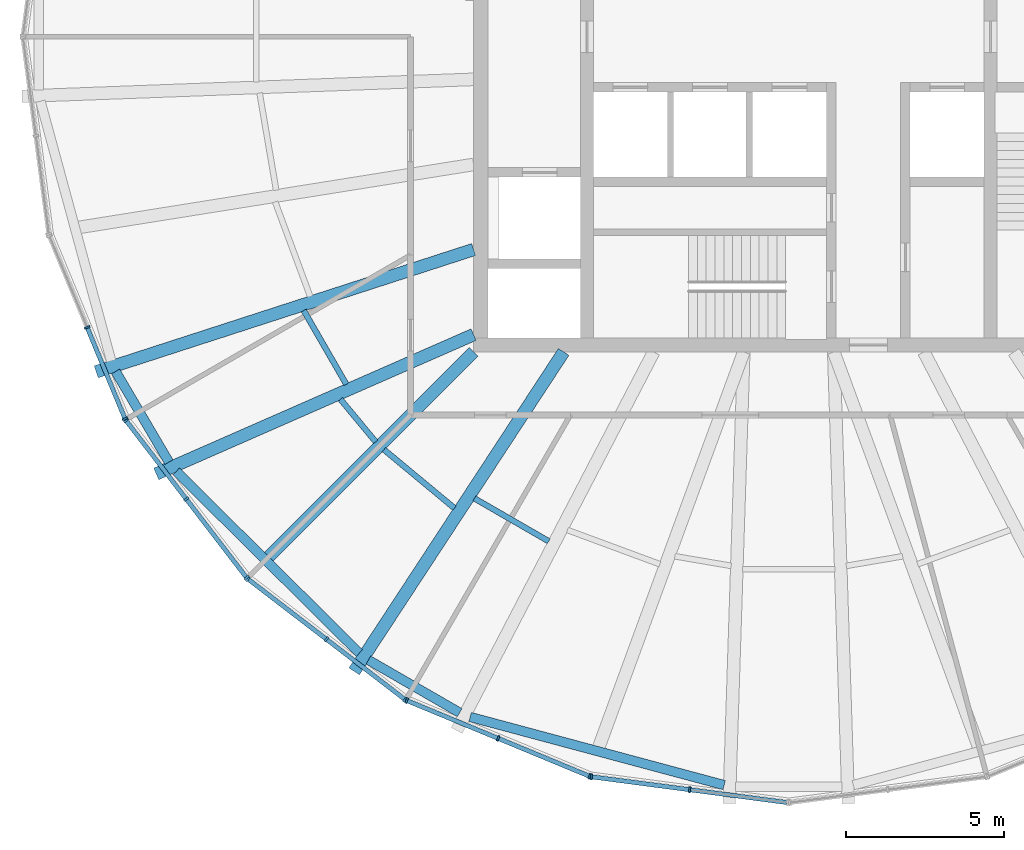
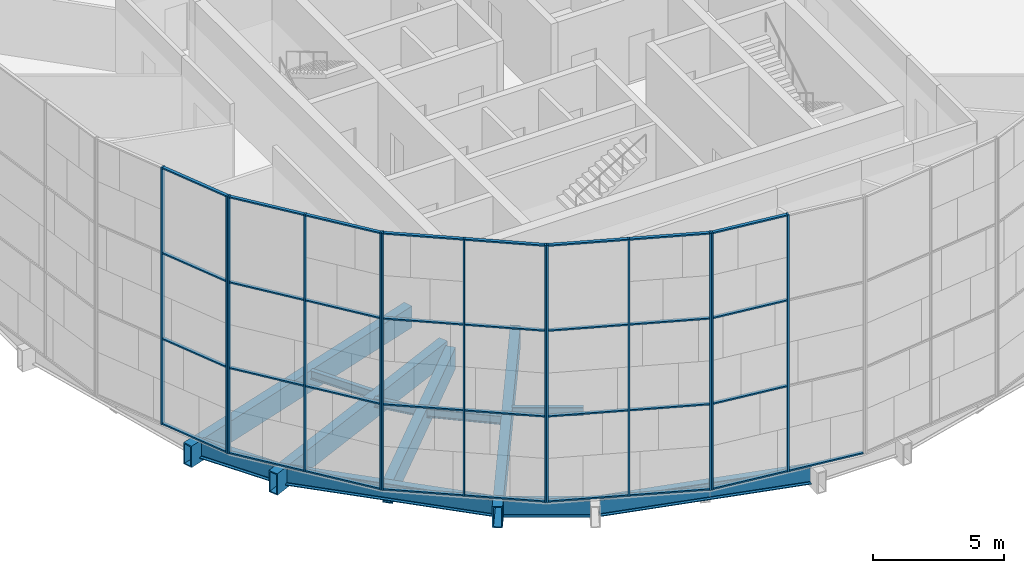
# One storey, part 1 of 22: 46 members, 12 beams, 5 elements without a shape of their own.
"""IFC4 building model written with IfcOpenShell, lengths in metres."""

import ifcopenshell
import ifcopenshell.guid

model = None  # the IFC model being written
_history = None  # IfcOwnerHistory: only IFC2X3 demands one
_inside = {}  # id of a spatial element -> (the spatial element, [elements in it])
_under = {}  # id of a project, library or spatial element -> (it, [spatial elements below it])
_declared = {}  # id of a project -> (the project, [libraries it declares])
_typed = {}  # id of a type object -> (the type object, [elements of that type])
_made_of = {}  # id of a material, layer set ... -> (it, [elements and type objects made of it])


def new_model(schema):
    """Start an empty IFC model of exactly this schema.

    Asked for "IFC4X3", IfcOpenShell would pick the latest addendum, in which some entities
    have other attributes; the version numbers below select the first issue.
    IFC2X3 requires an IfcOwnerHistory on every rooted entity: one is made here for all.
    """
    global model, _history
    if schema == "IFC4X3":
        model = ifcopenshell.file(schema_version=(4, 3, 0, 0))
    else:
        model = ifcopenshell.file(schema=schema)
    _inside.clear()
    _under.clear()
    _declared.clear()
    _typed.clear()
    _made_of.clear()
    _history = None
    if model.schema == "IFC2X3":
        org = make("IfcOrganization", Name="unknown")
        user = make(
            "IfcPersonAndOrganization",
            ThePerson=make("IfcPerson", FamilyName="unknown"),
            TheOrganization=org,
        )
        app = make(
            "IfcApplication",
            ApplicationDeveloper=org,
            Version="unknown",
            ApplicationFullName="unknown",
            ApplicationIdentifier="unknown",
        )
        _history = make(
            "IfcOwnerHistory",
            OwningUser=user,
            OwningApplication=app,
            ChangeAction="ADDED",
            CreationDate=0,
        )
    return model


def make(cls, **values):
    """One entity of the class cls with the attributes given. An attribute that is None is left unset."""
    return model.create_entity(
        cls, **{name: value for name, value in values.items() if value is not None}
    )


def rooted(cls, **values):
    """An entity with a GlobalId (a new one), such as an element, a storey or a relation."""
    return make(cls, GlobalId=ifcopenshell.guid.new(), OwnerHistory=_history, **values)


def si_unit(unit_type, name, prefix=None):
    """IfcSIUnit, for example si_unit("LENGTHUNIT", "METRE", prefix="MILLI")."""
    return make("IfcSIUnit", UnitType=unit_type, Prefix=prefix, Name=name)


def assignment(units):
    """IfcUnitAssignment: the units of a project."""
    return None if units is None else make("IfcUnitAssignment", Units=units)


def point(xyz):
    """IfcCartesianPoint."""
    return None if xyz is None else make("IfcCartesianPoint", Coordinates=xyz)


def direction(xyz):
    """IfcDirection."""
    return None if xyz is None else make("IfcDirection", DirectionRatios=xyz)


def frame(location, z_axis=None, x_axis=None):
    """IfcAxis2Placement3D, a coordinate frame: its origin and axes. An axis left out is left unset."""
    return make(
        "IfcAxis2Placement3D",
        Location=point(location),
        Axis=direction(z_axis),
        RefDirection=direction(x_axis),
    )


def frame_2d(location, x_axis=None):
    """IfcAxis2Placement2D, a coordinate frame in the plane: its origin and x axis."""
    return make(
        "IfcAxis2Placement2D", Location=point(location), RefDirection=direction(x_axis)
    )


def origin():
    """The frame at (0, 0, 0) with its axes left unset."""
    return frame((0.0, 0.0, 0.0))


def origin_2d():
    """The frame at (0, 0) in the plane with its x axis left unset."""
    return frame_2d((0.0, 0.0))


def place(relative_to, where):
    """IfcLocalPlacement: puts the frame where relative to a parent placement (None: the world)."""
    return make(
        "IfcLocalPlacement", PlacementRelTo=relative_to, RelativePlacement=where
    )


def context(
    kind, dimensions, precision=None, world=None, true_north=None, identifier=None
):
    """IfcGeometricRepresentationContext, for example the 3D "Model" context."""
    return make(
        "IfcGeometricRepresentationContext",
        ContextIdentifier=identifier,
        ContextType=kind,
        CoordinateSpaceDimension=dimensions,
        Precision=precision,
        WorldCoordinateSystem=world,
        TrueNorth=true_north,
    )


def subcontext(parent, identifier, kind, view, scale=None):
    """IfcGeometricRepresentationSubContext, for example "Body" below "Model"."""
    return make(
        "IfcGeometricRepresentationSubContext",
        ContextIdentifier=identifier,
        ContextType=kind,
        ParentContext=parent,
        TargetScale=scale,
        TargetView=view,
    )


def project(units=None, contexts=None):
    """IfcProject with its units and contexts."""
    return rooted(
        "IfcProject",
        Name="project",
        RepresentationContexts=contexts,
        UnitsInContext=assignment(units),
    )


def spatial(cls, under=None, at=None, **own):
    """A site, building, storey or space (cls), placed at a placement, below another one or the project."""
    s = rooted(cls, ObjectPlacement=at, **own)
    if under is not None:
        _under.setdefault(under.id(), (under, []))[1].append(s)
    return s


def profile(cls, at=None, kind="AREA", **sizes):
    """A parametric profile (cls). Its sizes go by their IFC names, for example OverallWidth=200.0."""
    return make(cls, ProfileType=kind, Position=at, **sizes)


def rectangle(**sizes):
    """IfcRectangleProfileDef."""
    return profile("IfcRectangleProfileDef", **sizes)


def hollow_rectangle(**sizes):
    """IfcRectangleHollowProfileDef."""
    return profile("IfcRectangleHollowProfileDef", **sizes)


def i_section(**sizes):
    """IfcIShapeProfileDef."""
    return profile("IfcIShapeProfileDef", **sizes)


def extrude(swept, where, along, depth):
    """IfcExtrudedAreaSolid: the profile swept, set in the frame where, extruded along a direction by depth."""
    return make(
        "IfcExtrudedAreaSolid",
        SweptArea=swept,
        Position=where,
        ExtrudedDirection=direction(along),
        Depth=depth,
    )


def shape(context_of_items, identifier, shape_type, items):
    """IfcShapeRepresentation: the items that make up one representation, for example the "Body"."""
    return make(
        "IfcShapeRepresentation",
        ContextOfItems=context_of_items,
        RepresentationIdentifier=identifier,
        RepresentationType=shape_type,
        Items=items,
    )


def material(Name=None, Category=None):
    """IfcMaterial."""
    return make("IfcMaterial", Name=Name, Category=Category)


def material_profile(
    of_material, cross_section, Name=None, Category=None, Priority=None
):
    """IfcMaterialProfile: a cross section and its material."""
    return make(
        "IfcMaterialProfile",
        Name=Name,
        Material=of_material,
        Profile=cross_section,
        Priority=Priority,
        Category=Category,
    )


def profile_set(profiles, Name=None, composite=None):
    """IfcMaterialProfileSet."""
    return make(
        "IfcMaterialProfileSet",
        Name=Name,
        MaterialProfiles=profiles,
        CompositeProfile=composite,
    )


def made_of(thing, what):
    """Note that an element or type object is made of a material, layer set ...; save() writes the relation."""
    if what is not None:
        _made_of.setdefault(what.id(), (what, []))[1].append(thing)
    return thing


def type_object(cls, material=None, **own):
    """A type object (cls), such as IfcWallType, which elements share."""
    return made_of(rooted(cls, **own), material)


def element(
    cls,
    number,
    at=None,
    inside=None,
    cuts=None,
    type_object=None,
    material=None,
    context=None,
    identifier="Body",
    shape_type=None,
    held_by="IfcProductDefinitionShape",
    body=None,
    shapes=None,
    **own,
):
    """One element of the class cls, such as IfcWall. Its Tag is "e" and its number.

    at: its placement. inside: the storey or other place that contains it. cuts: it is an
    opening in that element (IfcRelVoidsElement). A single representation is given by context,
    identifier, shape_type and body (its items); several are given by shapes. held_by: the class
    of the entity that holds the representations. save() writes the other relations.
    """
    e = rooted(cls, Tag="e%d" % number, ObjectPlacement=at, **own)
    if body is not None:
        shapes = [shape(context, identifier, shape_type, body)]
    if shapes is not None:
        e.Representation = make(held_by, Representations=shapes)
    if inside is not None:
        _inside.setdefault(inside.id(), (inside, []))[1].append(e)
    if cuts is not None:
        rooted(
            "IfcRelVoidsElement", RelatingBuildingElement=cuts, RelatedOpeningElement=e
        )
    if type_object is not None:
        _typed.setdefault(type_object.id(), (type_object, []))[1].append(e)
    return made_of(e, material)


def aggregate(whole, parts):
    """IfcRelAggregates: a whole, such as a stair, and the parts it consists of."""
    return rooted("IfcRelAggregates", RelatingObject=whole, RelatedObjects=parts)


def save(model, path):
    """Write the relations noted so far, then the file.

    IfcRelAggregates (storeys below a building ...), IfcRelContainedInSpatialStructure (elements
    in a storey), IfcRelDefinesByType, IfcRelAssociatesMaterial and IfcRelDeclares: one each for
    every whole, place, type object, material and project.
    """
    for whole, parts in _under.values():
        aggregate(whole, parts)
    for where, things in _inside.values():
        rooted(
            "IfcRelContainedInSpatialStructure",
            RelatedElements=things,
            RelatingStructure=where,
        )
    for kind, things in _typed.values():
        rooted("IfcRelDefinesByType", RelatedObjects=things, RelatingType=kind)
    for what, things in _made_of.values():
        rooted("IfcRelAssociatesMaterial", RelatedObjects=things, RelatingMaterial=what)
    for by, libraries in _declared.values():
        rooted("IfcRelDeclares", RelatingContext=by, RelatedDefinitions=libraries)
    model.write(path)


model = new_model("IFC4")

# Units and contexts
model_context = context("Model", 3, precision=1e-05, world=origin(), true_north=direction((0.0, 1.0)))
body_context = subcontext(model_context, "Body", "Model", "MODEL_VIEW")
ifc_project = project(units=[si_unit("LENGTHUNIT", "METRE"), si_unit("AREAUNIT", "SQUARE_METRE"), si_unit("VOLUMEUNIT", "CUBIC_METRE"), si_unit("PLANEANGLEUNIT", "RADIAN"), si_unit("MASSUNIT", "GRAM", prefix="KILO")], contexts=[model_context])

# Site, building, storey
site_placement = place(None, origin())
site = spatial("IfcSite", under=ifc_project, at=site_placement, CompositionType="ELEMENT")
building_placement = place(site_placement, origin())
building = spatial("IfcBuilding", under=site, at=building_placement, Name="Golbaran Civic Tower", CompositionType="ELEMENT")
storey_placement = place(building_placement, frame((0.0, 0.0, 155.0)))
storey = spatial("IfcBuildingStorey", under=building, at=storey_placement, Name="L37", CompositionType="ELEMENT", Elevation=155.0)

# Beams
ifc_material_1 = material(Name="Steel S355", Category="steel")
ifc_material_profile_1 = material_profile(ifc_material_1, i_section(OverallWidth=0.300048828125, OverallDepth=0.800048828125, WebThickness=0.017578125, FlangeThickness=0.032958984375, FilletRadius=0.030029296875, at=origin_2d()), Name="HEB 800")
ifc_profile_set_1 = profile_set([ifc_material_profile_1], Name="Steel S355")
beam_type_1 = type_object("IfcBeamType", Name="EDGE BEAM HEB 800", PredefinedType="BEAM", material=ifc_profile_set_1)
beam_1_placement = place(storey_placement, frame((-21.356689453125, -10.617919921875, -0.60009765625), z_axis=(0.506674807094, -0.862137251171, 0.0), x_axis=(0.862137251171, 0.506674807094, 0.0)))
element("IfcBeam", 1, at=beam_1_placement, inside=storey, type_object=beam_type_1, Name="Edge beam 205.62 L37", PredefinedType="BEAM", context=body_context, shape_type="SweptSolid", body=[
    extrude(i_section(OverallWidth=0.300048828125, OverallDepth=0.800048828125, WebThickness=0.017578125, FlangeThickness=0.032958984375, FilletRadius=0.030029296875, at=origin_2d()), origin(), (0.0, 0.0, 1.0), 3.33740234375),
])
beam_2_placement = place(storey_placement, frame((-19.4365234375, -13.78759765625, -0.60009765625), z_axis=(0.709963262307, -0.704238713913, 0.0), x_axis=(0.704238713913, 0.709963262307, 0.0)))
element("IfcBeam", 2, at=beam_2_placement, inside=storey, type_object=beam_type_1, Name="Edge beam 214.38 L37", PredefinedType="BEAM", context=body_context, shape_type="SweptSolid", body=[
    extrude(i_section(OverallWidth=0.300048828125, OverallDepth=0.800048828125, WebThickness=0.017578125, FlangeThickness=0.032958984375, FilletRadius=0.030029296875, at=origin_2d()), origin(), (0.0, 0.0, 1.0), 8.1884765625),
])
beam_3_placement = place(storey_placement, frame((-13.33642578125, -19.773681640625, -0.60009765625), z_axis=(0.866175852343, -0.499739324867, 0.0), x_axis=(0.499739324867, 0.866175852343, 0.0)))
element("IfcBeam", 3, at=beam_3_placement, inside=storey, type_object=beam_type_1, Name="Edge beam 235.62 L37", PredefinedType="BEAM", context=body_context, shape_type="SweptSolid", body=[
    extrude(i_section(OverallWidth=0.300048828125, OverallDepth=0.800048828125, WebThickness=0.017578125, FlangeThickness=0.032958984375, FilletRadius=0.030029296875, at=origin_2d()), origin(), (0.0, 0.0, 1.0), 3.340576171875),
])
beam_4_placement = place(storey_placement, frame((-10.10888671875, -21.580810546875, -0.60009765625), z_axis=(0.965852660034, -0.259091951063, 0.0), x_axis=(0.259091951063, 0.965852660034, 0.0)))
element("IfcBeam", 4, at=beam_4_placement, inside=storey, type_object=beam_type_1, Name="Edge beam 244.38 L37", PredefinedType="BEAM", context=body_context, shape_type="SweptSolid", body=[
    extrude(i_section(OverallWidth=0.300048828125, OverallDepth=0.800048828125, WebThickness=0.017578125, FlangeThickness=0.032958984375, FilletRadius=0.030029296875, at=origin_2d()), origin(), (0.0, 0.0, 1.0), 8.343994140625),
])
ifc_material_profile_2 = material_profile(ifc_material_1, i_section(OverallWidth=0.179931640625, OverallDepth=0.39990234375, WebThickness=0.008544921875, FlangeThickness=0.013427734375, FilletRadius=0.02099609375, at=origin_2d()), Name="IPE 400")
ifc_profile_set_2 = profile_set([ifc_material_profile_2], Name="Steel S355")
beam_type_2 = type_object("IfcBeamType", Name="FLOOR INFILL BEAM IPE 400", PredefinedType="BEAM", material=ifc_profile_set_2)
beam_5_placement = place(storey_placement, frame((-15.38916015625, -8.684814453125, -0.39990234375), z_axis=(0.499996136155, -0.866027634565, 0.0), x_axis=(0.866027634565, 0.499996136155, 0.0)))
element("IfcBeam", 5, at=beam_5_placement, inside=storey, type_object=beam_type_2, Name="Infill beam 210.00 L37", PredefinedType="BEAM", context=body_context, shape_type="SweptSolid", body=[
    extrude(i_section(OverallWidth=0.179931640625, OverallDepth=0.39990234375, WebThickness=0.008544921875, FlangeThickness=0.013427734375, FilletRadius=0.02099609375, at=origin_2d()), origin(), (0.0, 0.0, 1.0), 2.70263671875),
])
beam_6_placement = place(storey_placement, frame((-14.224853515625, -11.500732421875, -0.39990234375), z_axis=(0.63856720713, -0.769566060828, 0.0), x_axis=(0.769566060828, 0.63856720713, 0.0)))
element("IfcBeam", 6, at=beam_6_placement, inside=storey, type_object=beam_type_2, Name="Infill beam 219.69 L37", PredefinedType="BEAM", context=body_context, shape_type="SweptSolid", body=[
    extrude(i_section(OverallWidth=0.179931640625, OverallDepth=0.39990234375, WebThickness=0.008544921875, FlangeThickness=0.013427734375, FilletRadius=0.02099609375, at=origin_2d()), origin(), (0.0, 0.0, 1.0), 1.753662109375),
])
beam_7_placement = place(storey_placement, frame((-12.843994140625, -13.0986328125, -0.39990234375), z_axis=(0.769541494955, -0.63859681141, 0.0), x_axis=(0.63859681141, 0.769541494955, 0.0)))
element("IfcBeam", 7, at=beam_7_placement, inside=storey, type_object=beam_type_2, Name="Infill beam 230.31 L37", PredefinedType="BEAM", context=body_context, shape_type="SweptSolid", body=[
    extrude(i_section(OverallWidth=0.179931640625, OverallDepth=0.39990234375, WebThickness=0.008544921875, FlangeThickness=0.013427734375, FilletRadius=0.02099609375, at=origin_2d()), origin(), (0.0, 0.0, 1.0), 2.90673828125),
])
beam_8_placement = place(storey_placement, frame((-9.973388671875, -14.64501953125, -0.39990234375), z_axis=(0.866022906543, -0.500004325324, 0.0), x_axis=(0.500004325324, 0.866022906543, 0.0)))
element("IfcBeam", 8, at=beam_8_placement, inside=storey, type_object=beam_type_2, Name="Infill beam 240.00 L37", PredefinedType="BEAM", context=body_context, shape_type="SweptSolid", body=[
    extrude(i_section(OverallWidth=0.179931640625, OverallDepth=0.39990234375, WebThickness=0.008544921875, FlangeThickness=0.013427734375, FilletRadius=0.02099609375, at=origin_2d()), origin(), (0.0, 0.0, 1.0), 2.72412109375),
])

# Curtain wall, members
ifc_material_2 = material(Name="Aluminium and glass", Category="aluminium")
curtain_wall_type = type_object("IfcCurtainWallType", Name="INNER SKIN CURTAIN WALL", PredefinedType="NOTDEFINED", material=ifc_material_2)
curtain_wall_1_placement = place(storey_placement, origin())
curtain_wall_1 = element("IfcCurtainWall", 9, at=curtain_wall_1_placement, inside=storey, type_object=curtain_wall_type, Name="Inner skin L37 facet 14 CW1", ObjectType="INNER SKIN", PredefinedType="USERDEFINED")
ifc_material_3 = material(Name="Aluminium", Category="aluminium")
ifc_material_profile_3 = material_profile(ifc_material_3, rectangle(XDim=0.179931640625, YDim=0.06494140625, at=origin_2d()), Name="INNER SKIN CURTAIN WALL MULLION")
ifc_profile_set_3 = profile_set([ifc_material_profile_3], Name="Aluminium")
member_type_1 = type_object("IfcMemberType", Name="INNER SKIN CURTAIN WALL MULLION", PredefinedType="MULLION", material=ifc_profile_set_3)
member_1_placement = place(storey_placement, frame((-22.260009765625, -9.220458984375, 0.0), z_axis=(0.0, 0.0, 1.0), x_axis=(0.923879532551, 0.382683432268, 0.0)))
member_1 = element("IfcMember", 10, at=member_1_placement, type_object=member_type_1, Name="CW1 mullion 2", PredefinedType="MULLION", context=body_context, shape_type="SweptSolid", body=[
    extrude(rectangle(XDim=0.179931640625, YDim=0.06494140625, at=origin_2d()), origin(), (0.0, 0.0, 1.0), 12.0),
])
member_2_placement = place(storey_placement, frame((-21.05859375, -12.12109375, 0.0), z_axis=(0.0, 0.0, 1.0), x_axis=(0.923879532551, 0.382683432268, 0.0)))
member_2 = element("IfcMember", 11, at=member_2_placement, type_object=member_type_1, Name="CW1 mullion 3", PredefinedType="MULLION", context=body_context, shape_type="SweptSolid", body=[
    extrude(rectangle(XDim=0.179931640625, YDim=0.06494140625, at=origin_2d()), origin(), (0.0, 0.0, 1.0), 12.0),
])

curtain_wall_2_placement = place(storey_placement, origin())
curtain_wall_2 = element("IfcCurtainWall", 12, at=curtain_wall_2_placement, inside=storey, type_object=curtain_wall_type, Name="Inner skin L37 facet 15 CW1", ObjectType="INNER SKIN", PredefinedType="USERDEFINED")
member_3_placement = place(storey_placement, frame((-21.0263671875, -12.1767578125, 0.0), z_axis=(0.0, 0.0, 1.0), x_axis=(0.793353340217, 0.608761429106, 0.0)))
member_3 = element("IfcMember", 13, at=member_3_placement, type_object=member_type_1, Name="CW1 mullion 1", PredefinedType="MULLION", context=body_context, shape_type="SweptSolid", body=[
    extrude(rectangle(XDim=0.179931640625, YDim=0.06494140625, at=origin_2d()), origin(), (0.0, 0.0, 1.0), 12.0),
])
member_4_placement = place(storey_placement, frame((-19.115234375, -14.66748046875, 0.0), z_axis=(0.0, 0.0, 1.0), x_axis=(0.793353340217, 0.608761429106, 0.0)))
member_4 = element("IfcMember", 14, at=member_4_placement, type_object=member_type_1, Name="CW1 mullion 2", PredefinedType="MULLION", context=body_context, shape_type="SweptSolid", body=[
    extrude(rectangle(XDim=0.179931640625, YDim=0.06494140625, at=origin_2d()), origin(), (0.0, 0.0, 1.0), 12.0),
])
member_5_placement = place(storey_placement, frame((-17.203857421875, -17.158203125, 0.0), z_axis=(0.0, 0.0, 1.0), x_axis=(0.793353340217, 0.608761429106, 0.0)))
member_5 = element("IfcMember", 15, at=member_5_placement, type_object=member_type_1, Name="CW1 mullion 3", PredefinedType="MULLION", context=body_context, shape_type="SweptSolid", body=[
    extrude(rectangle(XDim=0.179931640625, YDim=0.06494140625, at=origin_2d()), origin(), (0.0, 0.0, 1.0), 12.0),
])

curtain_wall_3_placement = place(storey_placement, origin())
curtain_wall_3 = element("IfcCurtainWall", 16, at=curtain_wall_3_placement, inside=storey, type_object=curtain_wall_type, Name="Inner skin L37 facet 16 CW1", ObjectType="INNER SKIN", PredefinedType="USERDEFINED")
member_6_placement = place(storey_placement, frame((-17.158203125, -17.203857421875, 0.0), z_axis=(0.0, 0.0, 1.0), x_axis=(0.608761429106, 0.793353340217, 0.0)))
member_6 = element("IfcMember", 17, at=member_6_placement, type_object=member_type_1, Name="CW1 mullion 1", PredefinedType="MULLION", context=body_context, shape_type="SweptSolid", body=[
    extrude(rectangle(XDim=0.179931640625, YDim=0.06494140625, at=origin_2d()), origin(), (0.0, 0.0, 1.0), 12.0),
])
member_7_placement = place(storey_placement, frame((-14.66748046875, -19.115234375, 0.0), z_axis=(0.0, 0.0, 1.0), x_axis=(0.608761429106, 0.793353340217, 0.0)))
member_7 = element("IfcMember", 18, at=member_7_placement, type_object=member_type_1, Name="CW1 mullion 2", PredefinedType="MULLION", context=body_context, shape_type="SweptSolid", body=[
    extrude(rectangle(XDim=0.179931640625, YDim=0.06494140625, at=origin_2d()), origin(), (0.0, 0.0, 1.0), 12.0),
])
member_8_placement = place(storey_placement, frame((-12.1767578125, -21.0263671875, 0.0), z_axis=(0.0, 0.0, 1.0), x_axis=(0.608761429106, 0.793353340217, 0.0)))
member_8 = element("IfcMember", 19, at=member_8_placement, type_object=member_type_1, Name="CW1 mullion 3", PredefinedType="MULLION", context=body_context, shape_type="SweptSolid", body=[
    extrude(rectangle(XDim=0.179931640625, YDim=0.06494140625, at=origin_2d()), origin(), (0.0, 0.0, 1.0), 12.0),
])

curtain_wall_4_placement = place(storey_placement, origin())
curtain_wall_4 = element("IfcCurtainWall", 20, at=curtain_wall_4_placement, inside=storey, type_object=curtain_wall_type, Name="Inner skin L37 facet 17 CW1", ObjectType="INNER SKIN", PredefinedType="USERDEFINED")
member_9_placement = place(storey_placement, frame((-12.12109375, -21.05859375, 0.0), z_axis=(0.0, 0.0, 1.0), x_axis=(0.382683432268, 0.923879532551, 0.0)))
member_9 = element("IfcMember", 21, at=member_9_placement, type_object=member_type_1, Name="CW1 mullion 1", PredefinedType="MULLION", context=body_context, shape_type="SweptSolid", body=[
    extrude(rectangle(XDim=0.179931640625, YDim=0.06494140625, at=origin_2d()), origin(), (0.0, 0.0, 1.0), 12.0),
])
member_10_placement = place(storey_placement, frame((-9.220458984375, -22.260009765625, 0.0), z_axis=(0.0, 0.0, 1.0), x_axis=(0.382683432268, 0.923879532551, 0.0)))
member_10 = element("IfcMember", 22, at=member_10_placement, type_object=member_type_1, Name="CW1 mullion 2", PredefinedType="MULLION", context=body_context, shape_type="SweptSolid", body=[
    extrude(rectangle(XDim=0.179931640625, YDim=0.06494140625, at=origin_2d()), origin(), (0.0, 0.0, 1.0), 12.0),
])
member_11_placement = place(storey_placement, frame((-6.31982421875, -23.46142578125, 0.0), z_axis=(0.0, 0.0, 1.0), x_axis=(0.382683432268, 0.923879532551, 0.0)))
member_11 = element("IfcMember", 23, at=member_11_placement, type_object=member_type_1, Name="CW1 mullion 3", PredefinedType="MULLION", context=body_context, shape_type="SweptSolid", body=[
    extrude(rectangle(XDim=0.179931640625, YDim=0.06494140625, at=origin_2d()), origin(), (0.0, 0.0, 1.0), 12.0),
])

curtain_wall_5_placement = place(storey_placement, origin())
curtain_wall_5 = element("IfcCurtainWall", 24, at=curtain_wall_5_placement, inside=storey, type_object=curtain_wall_type, Name="Inner skin L37 facet 18 CW1", ObjectType="INNER SKIN", PredefinedType="USERDEFINED")
member_12_placement = place(storey_placement, frame((-6.257568359375, -23.478271484375, 0.0), z_axis=(0.0, 0.0, 1.0), x_axis=(0.130526192289, 0.991444861365, 0.0)))
member_12 = element("IfcMember", 25, at=member_12_placement, type_object=member_type_1, Name="CW1 mullion 1", PredefinedType="MULLION", context=body_context, shape_type="SweptSolid", body=[
    extrude(rectangle(XDim=0.179931640625, YDim=0.06494140625, at=origin_2d()), origin(), (0.0, 0.0, 1.0), 12.0),
])
member_13_placement = place(storey_placement, frame((-3.14501953125, -23.887939453125, 0.0), z_axis=(0.0, 0.0, 1.0), x_axis=(0.130526192289, 0.991444861365, 0.0)))
member_13 = element("IfcMember", 26, at=member_13_placement, type_object=member_type_1, Name="CW1 mullion 2", PredefinedType="MULLION", context=body_context, shape_type="SweptSolid", body=[
    extrude(rectangle(XDim=0.179931640625, YDim=0.06494140625, at=origin_2d()), origin(), (0.0, 0.0, 1.0), 12.0),
])

# Member
ifc_material_profile_4 = material_profile(ifc_material_3, rectangle(XDim=0.139892578125, YDim=0.06494140625, at=origin_2d()), Name="INNER SKIN CURTAIN WALL TRANSOM")
ifc_profile_set_4 = profile_set([ifc_material_profile_4], Name="Aluminium")
member_type_2 = type_object("IfcMemberType", Name="INNER SKIN CURTAIN WALL TRANSOM", PredefinedType="USERDEFINED", material=ifc_profile_set_4)
member_14_placement = place(storey_placement, frame((-22.24755859375, -9.25048828125, 0.032470703125), z_axis=(0.38265802939, -0.923890054359, 0.0), x_axis=(0.923890054359, 0.38265802939, 0.0)))
member_14 = element("IfcMember", 27, at=member_14_placement, type_object=member_type_2, Name="CW1 transom 2.1", ObjectType="TRANSOM", PredefinedType="USERDEFINED", context=body_context, shape_type="SweptSolid", body=[
    extrude(rectangle(XDim=0.139892578125, YDim=0.06494140625, at=origin_2d()), origin(), (0.0, 0.0, 1.0), 3.074462890625),
])

member_15_placement = place(storey_placement, frame((-22.24755859375, -9.25048828125, 4.0), z_axis=(0.38265802939, -0.923890054359, 0.0), x_axis=(0.923890054359, 0.38265802939, 0.0)))
member_15 = element("IfcMember", 28, at=member_15_placement, type_object=member_type_2, Name="CW1 transom 2.2", ObjectType="TRANSOM", PredefinedType="USERDEFINED", context=body_context, shape_type="SweptSolid", body=[
    extrude(rectangle(XDim=0.139892578125, YDim=0.06494140625, at=origin_2d()), origin(), (0.0, 0.0, 1.0), 3.074462890625),
])

member_16_placement = place(storey_placement, frame((-22.24755859375, -9.25048828125, 8.0), z_axis=(0.38265802939, -0.923890054359, 0.0), x_axis=(0.923890054359, 0.38265802939, 0.0)))
member_16 = element("IfcMember", 29, at=member_16_placement, type_object=member_type_2, Name="CW1 transom 2.3", ObjectType="TRANSOM", PredefinedType="USERDEFINED", context=body_context, shape_type="SweptSolid", body=[
    extrude(rectangle(XDim=0.139892578125, YDim=0.06494140625, at=origin_2d()), origin(), (0.0, 0.0, 1.0), 3.074462890625),
])

member_17_placement = place(storey_placement, frame((-22.24755859375, -9.25048828125, 11.967529296875), z_axis=(0.38265802939, -0.923890054359, 0.0), x_axis=(0.923890054359, 0.38265802939, 0.0)))
member_17 = element("IfcMember", 30, at=member_17_placement, type_object=member_type_2, Name="CW1 transom 2.4", ObjectType="TRANSOM", PredefinedType="USERDEFINED", context=body_context, shape_type="SweptSolid", body=[
    extrude(rectangle(XDim=0.139892578125, YDim=0.06494140625, at=origin_2d()), origin(), (0.0, 0.0, 1.0), 3.074462890625),
])

aggregate(curtain_wall_1, [member_1, member_2, member_14, member_15, member_16, member_17])

member_18_placement = place(storey_placement, frame((-21.006591796875, -12.20263671875, 0.032470703125), z_axis=(0.608743239182, -0.793367297505, 0.0), x_axis=(0.793367297505, 0.608743239182, 0.0)))
member_18 = element("IfcMember", 31, at=member_18_placement, type_object=member_type_2, Name="CW1 transom 1.1", ObjectType="TRANSOM", PredefinedType="USERDEFINED", context=body_context, shape_type="SweptSolid", body=[
    extrude(rectangle(XDim=0.139892578125, YDim=0.06494140625, at=origin_2d()), origin(), (0.0, 0.0, 1.0), 3.074462890625),
])

member_19_placement = place(storey_placement, frame((-21.006591796875, -12.20263671875, 4.0), z_axis=(0.608743239182, -0.793367297505, 0.0), x_axis=(0.793367297505, 0.608743239182, 0.0)))
member_19 = element("IfcMember", 32, at=member_19_placement, type_object=member_type_2, Name="CW1 transom 1.2", ObjectType="TRANSOM", PredefinedType="USERDEFINED", context=body_context, shape_type="SweptSolid", body=[
    extrude(rectangle(XDim=0.139892578125, YDim=0.06494140625, at=origin_2d()), origin(), (0.0, 0.0, 1.0), 3.074462890625),
])

member_20_placement = place(storey_placement, frame((-21.006591796875, -12.20263671875, 8.0), z_axis=(0.608743239182, -0.793367297505, 0.0), x_axis=(0.793367297505, 0.608743239182, 0.0)))
member_20 = element("IfcMember", 33, at=member_20_placement, type_object=member_type_2, Name="CW1 transom 1.3", ObjectType="TRANSOM", PredefinedType="USERDEFINED", context=body_context, shape_type="SweptSolid", body=[
    extrude(rectangle(XDim=0.139892578125, YDim=0.06494140625, at=origin_2d()), origin(), (0.0, 0.0, 1.0), 3.074462890625),
])

member_21_placement = place(storey_placement, frame((-21.006591796875, -12.20263671875, 11.967529296875), z_axis=(0.608743239182, -0.793367297505, 0.0), x_axis=(0.793367297505, 0.608743239182, 0.0)))
member_21 = element("IfcMember", 34, at=member_21_placement, type_object=member_type_2, Name="CW1 transom 1.4", ObjectType="TRANSOM", PredefinedType="USERDEFINED", context=body_context, shape_type="SweptSolid", body=[
    extrude(rectangle(XDim=0.139892578125, YDim=0.06494140625, at=origin_2d()), origin(), (0.0, 0.0, 1.0), 3.074462890625),
])

member_22_placement = place(storey_placement, frame((-19.095458984375, -14.693359375, 0.032470703125), z_axis=(0.608793217592, -0.793328947041, 0.0), x_axis=(0.793328947041, 0.608793217592, 0.0)))
member_22 = element("IfcMember", 35, at=member_22_placement, type_object=member_type_2, Name="CW1 transom 2.1", ObjectType="TRANSOM", PredefinedType="USERDEFINED", context=body_context, shape_type="SweptSolid", body=[
    extrude(rectangle(XDim=0.139892578125, YDim=0.06494140625, at=origin_2d()), origin(), (0.0, 0.0, 1.0), 3.07470703125),
])

member_23_placement = place(storey_placement, frame((-19.095458984375, -14.693359375, 4.0), z_axis=(0.608793217592, -0.793328947041, 0.0), x_axis=(0.793328947041, 0.608793217592, 0.0)))
member_23 = element("IfcMember", 36, at=member_23_placement, type_object=member_type_2, Name="CW1 transom 2.2", ObjectType="TRANSOM", PredefinedType="USERDEFINED", context=body_context, shape_type="SweptSolid", body=[
    extrude(rectangle(XDim=0.139892578125, YDim=0.06494140625, at=origin_2d()), origin(), (0.0, 0.0, 1.0), 3.07470703125),
])

member_24_placement = place(storey_placement, frame((-19.095458984375, -14.693359375, 8.0), z_axis=(0.608793217592, -0.793328947041, 0.0), x_axis=(0.793328947041, 0.608793217592, 0.0)))
member_24 = element("IfcMember", 37, at=member_24_placement, type_object=member_type_2, Name="CW1 transom 2.3", ObjectType="TRANSOM", PredefinedType="USERDEFINED", context=body_context, shape_type="SweptSolid", body=[
    extrude(rectangle(XDim=0.139892578125, YDim=0.06494140625, at=origin_2d()), origin(), (0.0, 0.0, 1.0), 3.07470703125),
])

member_25_placement = place(storey_placement, frame((-19.095458984375, -14.693359375, 11.967529296875), z_axis=(0.608793217592, -0.793328947041, 0.0), x_axis=(0.793328947041, 0.608793217592, 0.0)))
member_25 = element("IfcMember", 38, at=member_25_placement, type_object=member_type_2, Name="CW1 transom 2.4", ObjectType="TRANSOM", PredefinedType="USERDEFINED", context=body_context, shape_type="SweptSolid", body=[
    extrude(rectangle(XDim=0.139892578125, YDim=0.06494140625, at=origin_2d()), origin(), (0.0, 0.0, 1.0), 3.07470703125),
])

aggregate(curtain_wall_2, [member_3, member_4, member_5, member_18, member_19, member_20, member_21, member_22, member_23, member_24, member_25])

member_26_placement = place(storey_placement, frame((-17.132568359375, -17.2236328125, 0.032470703125), z_axis=(0.793328947041, -0.608793217592, 0.0), x_axis=(0.608793217592, 0.793328947041, 0.0)))
member_26 = element("IfcMember", 39, at=member_26_placement, type_object=member_type_2, Name="CW1 transom 1.1", ObjectType="TRANSOM", PredefinedType="USERDEFINED", context=body_context, shape_type="SweptSolid", body=[
    extrude(rectangle(XDim=0.139892578125, YDim=0.06494140625, at=origin_2d()), origin(), (0.0, 0.0, 1.0), 3.07470703125),
])

member_27_placement = place(storey_placement, frame((-17.132568359375, -17.2236328125, 4.0), z_axis=(0.793328947041, -0.608793217592, 0.0), x_axis=(0.608793217592, 0.793328947041, 0.0)))
member_27 = element("IfcMember", 40, at=member_27_placement, type_object=member_type_2, Name="CW1 transom 1.2", ObjectType="TRANSOM", PredefinedType="USERDEFINED", context=body_context, shape_type="SweptSolid", body=[
    extrude(rectangle(XDim=0.139892578125, YDim=0.06494140625, at=origin_2d()), origin(), (0.0, 0.0, 1.0), 3.07470703125),
])

member_28_placement = place(storey_placement, frame((-17.132568359375, -17.2236328125, 8.0), z_axis=(0.793328947041, -0.608793217592, 0.0), x_axis=(0.608793217592, 0.793328947041, 0.0)))
member_28 = element("IfcMember", 41, at=member_28_placement, type_object=member_type_2, Name="CW1 transom 1.3", ObjectType="TRANSOM", PredefinedType="USERDEFINED", context=body_context, shape_type="SweptSolid", body=[
    extrude(rectangle(XDim=0.139892578125, YDim=0.06494140625, at=origin_2d()), origin(), (0.0, 0.0, 1.0), 3.07470703125),
])

member_29_placement = place(storey_placement, frame((-17.132568359375, -17.2236328125, 11.967529296875), z_axis=(0.793328947041, -0.608793217592, 0.0), x_axis=(0.608793217592, 0.793328947041, 0.0)))
member_29 = element("IfcMember", 42, at=member_29_placement, type_object=member_type_2, Name="CW1 transom 1.4", ObjectType="TRANSOM", PredefinedType="USERDEFINED", context=body_context, shape_type="SweptSolid", body=[
    extrude(rectangle(XDim=0.139892578125, YDim=0.06494140625, at=origin_2d()), origin(), (0.0, 0.0, 1.0), 3.07470703125),
])

member_30_placement = place(storey_placement, frame((-14.641845703125, -19.135009765625, 0.032470703125), z_axis=(0.793367297505, -0.608743239182, 0.0), x_axis=(0.608743239182, 0.793367297505, 0.0)))
member_30 = element("IfcMember", 43, at=member_30_placement, type_object=member_type_2, Name="CW1 transom 2.1", ObjectType="TRANSOM", PredefinedType="USERDEFINED", context=body_context, shape_type="SweptSolid", body=[
    extrude(rectangle(XDim=0.139892578125, YDim=0.06494140625, at=origin_2d()), origin(), (0.0, 0.0, 1.0), 3.074462890625),
])

member_31_placement = place(storey_placement, frame((-14.641845703125, -19.135009765625, 4.0), z_axis=(0.793367297505, -0.608743239182, 0.0), x_axis=(0.608743239182, 0.793367297505, 0.0)))
member_31 = element("IfcMember", 44, at=member_31_placement, type_object=member_type_2, Name="CW1 transom 2.2", ObjectType="TRANSOM", PredefinedType="USERDEFINED", context=body_context, shape_type="SweptSolid", body=[
    extrude(rectangle(XDim=0.139892578125, YDim=0.06494140625, at=origin_2d()), origin(), (0.0, 0.0, 1.0), 3.074462890625),
])

member_32_placement = place(storey_placement, frame((-14.641845703125, -19.135009765625, 8.0), z_axis=(0.793367297505, -0.608743239182, 0.0), x_axis=(0.608743239182, 0.793367297505, 0.0)))
member_32 = element("IfcMember", 45, at=member_32_placement, type_object=member_type_2, Name="CW1 transom 2.3", ObjectType="TRANSOM", PredefinedType="USERDEFINED", context=body_context, shape_type="SweptSolid", body=[
    extrude(rectangle(XDim=0.139892578125, YDim=0.06494140625, at=origin_2d()), origin(), (0.0, 0.0, 1.0), 3.074462890625),
])

member_33_placement = place(storey_placement, frame((-14.641845703125, -19.135009765625, 11.967529296875), z_axis=(0.793367297505, -0.608743239182, 0.0), x_axis=(0.608743239182, 0.793367297505, 0.0)))
member_33 = element("IfcMember", 46, at=member_33_placement, type_object=member_type_2, Name="CW1 transom 2.4", ObjectType="TRANSOM", PredefinedType="USERDEFINED", context=body_context, shape_type="SweptSolid", body=[
    extrude(rectangle(XDim=0.139892578125, YDim=0.06494140625, at=origin_2d()), origin(), (0.0, 0.0, 1.0), 3.074462890625),
])

aggregate(curtain_wall_3, [member_6, member_7, member_8, member_26, member_27, member_28, member_29, member_30, member_31, member_32, member_33])

member_34_placement = place(storey_placement, frame((-12.091064453125, -21.071044921875, 0.032470703125), z_axis=(0.923890054359, -0.38265802939, 0.0), x_axis=(0.38265802939, 0.923890054359, 0.0)))
member_34 = element("IfcMember", 47, at=member_34_placement, type_object=member_type_2, Name="CW1 transom 1.1", ObjectType="TRANSOM", PredefinedType="USERDEFINED", context=body_context, shape_type="SweptSolid", body=[
    extrude(rectangle(XDim=0.139892578125, YDim=0.06494140625, at=origin_2d()), origin(), (0.0, 0.0, 1.0), 3.074462890625),
])

member_35_placement = place(storey_placement, frame((-12.091064453125, -21.071044921875, 4.0), z_axis=(0.923890054359, -0.38265802939, 0.0), x_axis=(0.38265802939, 0.923890054359, 0.0)))
member_35 = element("IfcMember", 48, at=member_35_placement, type_object=member_type_2, Name="CW1 transom 1.2", ObjectType="TRANSOM", PredefinedType="USERDEFINED", context=body_context, shape_type="SweptSolid", body=[
    extrude(rectangle(XDim=0.139892578125, YDim=0.06494140625, at=origin_2d()), origin(), (0.0, 0.0, 1.0), 3.074462890625),
])

member_36_placement = place(storey_placement, frame((-12.091064453125, -21.071044921875, 8.0), z_axis=(0.923890054359, -0.38265802939, 0.0), x_axis=(0.38265802939, 0.923890054359, 0.0)))
member_36 = element("IfcMember", 49, at=member_36_placement, type_object=member_type_2, Name="CW1 transom 1.3", ObjectType="TRANSOM", PredefinedType="USERDEFINED", context=body_context, shape_type="SweptSolid", body=[
    extrude(rectangle(XDim=0.139892578125, YDim=0.06494140625, at=origin_2d()), origin(), (0.0, 0.0, 1.0), 3.074462890625),
])

member_37_placement = place(storey_placement, frame((-12.091064453125, -21.071044921875, 11.967529296875), z_axis=(0.923890054359, -0.38265802939, 0.0), x_axis=(0.38265802939, 0.923890054359, 0.0)))
member_37 = element("IfcMember", 50, at=member_37_placement, type_object=member_type_2, Name="CW1 transom 1.4", ObjectType="TRANSOM", PredefinedType="USERDEFINED", context=body_context, shape_type="SweptSolid", body=[
    extrude(rectangle(XDim=0.139892578125, YDim=0.06494140625, at=origin_2d()), origin(), (0.0, 0.0, 1.0), 3.074462890625),
])

member_38_placement = place(storey_placement, frame((-9.1904296875, -22.2724609375, 0.032470703125), z_axis=(0.923890054359, -0.38265802939, 0.0), x_axis=(0.38265802939, 0.923890054359, 0.0)))
member_38 = element("IfcMember", 51, at=member_38_placement, type_object=member_type_2, Name="CW1 transom 2.1", ObjectType="TRANSOM", PredefinedType="USERDEFINED", context=body_context, shape_type="SweptSolid", body=[
    extrude(rectangle(XDim=0.139892578125, YDim=0.06494140625, at=origin_2d()), origin(), (0.0, 0.0, 1.0), 3.074462890625),
])

member_39_placement = place(storey_placement, frame((-9.1904296875, -22.2724609375, 4.0), z_axis=(0.923890054359, -0.38265802939, 0.0), x_axis=(0.38265802939, 0.923890054359, 0.0)))
member_39 = element("IfcMember", 52, at=member_39_placement, type_object=member_type_2, Name="CW1 transom 2.2", ObjectType="TRANSOM", PredefinedType="USERDEFINED", context=body_context, shape_type="SweptSolid", body=[
    extrude(rectangle(XDim=0.139892578125, YDim=0.06494140625, at=origin_2d()), origin(), (0.0, 0.0, 1.0), 3.074462890625),
])

member_40_placement = place(storey_placement, frame((-9.1904296875, -22.2724609375, 8.0), z_axis=(0.923890054359, -0.38265802939, 0.0), x_axis=(0.38265802939, 0.923890054359, 0.0)))
member_40 = element("IfcMember", 53, at=member_40_placement, type_object=member_type_2, Name="CW1 transom 2.3", ObjectType="TRANSOM", PredefinedType="USERDEFINED", context=body_context, shape_type="SweptSolid", body=[
    extrude(rectangle(XDim=0.139892578125, YDim=0.06494140625, at=origin_2d()), origin(), (0.0, 0.0, 1.0), 3.074462890625),
])

member_41_placement = place(storey_placement, frame((-9.1904296875, -22.2724609375, 11.967529296875), z_axis=(0.923890054359, -0.38265802939, 0.0), x_axis=(0.38265802939, 0.923890054359, 0.0)))
member_41 = element("IfcMember", 54, at=member_41_placement, type_object=member_type_2, Name="CW1 transom 2.4", ObjectType="TRANSOM", PredefinedType="USERDEFINED", context=body_context, shape_type="SweptSolid", body=[
    extrude(rectangle(XDim=0.139892578125, YDim=0.06494140625, at=origin_2d()), origin(), (0.0, 0.0, 1.0), 3.074462890625),
])

aggregate(curtain_wall_4, [member_9, member_10, member_11, member_34, member_35, member_36, member_37, member_38, member_39, member_40, member_41])

member_42_placement = place(storey_placement, frame((-6.225341796875, -23.482421875, 0.032470703125), z_axis=(0.991441587305, -0.130551058833, 0.0), x_axis=(0.130551058833, 0.991441587305, 0.0)))
member_42 = element("IfcMember", 55, at=member_42_placement, type_object=member_type_2, Name="CW1 transom 1.1", ObjectType="TRANSOM", PredefinedType="USERDEFINED", context=body_context, shape_type="SweptSolid", body=[
    extrude(rectangle(XDim=0.139892578125, YDim=0.06494140625, at=origin_2d()), origin(), (0.0, 0.0, 1.0), 3.074462890625),
])

member_43_placement = place(storey_placement, frame((-6.225341796875, -23.482421875, 4.0), z_axis=(0.991441587305, -0.130551058833, 0.0), x_axis=(0.130551058833, 0.991441587305, 0.0)))
member_43 = element("IfcMember", 56, at=member_43_placement, type_object=member_type_2, Name="CW1 transom 1.2", ObjectType="TRANSOM", PredefinedType="USERDEFINED", context=body_context, shape_type="SweptSolid", body=[
    extrude(rectangle(XDim=0.139892578125, YDim=0.06494140625, at=origin_2d()), origin(), (0.0, 0.0, 1.0), 3.074462890625),
])

member_44_placement = place(storey_placement, frame((-6.225341796875, -23.482421875, 8.0), z_axis=(0.991441587305, -0.130551058833, 0.0), x_axis=(0.130551058833, 0.991441587305, 0.0)))
member_44 = element("IfcMember", 57, at=member_44_placement, type_object=member_type_2, Name="CW1 transom 1.3", ObjectType="TRANSOM", PredefinedType="USERDEFINED", context=body_context, shape_type="SweptSolid", body=[
    extrude(rectangle(XDim=0.139892578125, YDim=0.06494140625, at=origin_2d()), origin(), (0.0, 0.0, 1.0), 3.074462890625),
])

member_45_placement = place(storey_placement, frame((-6.225341796875, -23.482421875, 11.967529296875), z_axis=(0.991441587305, -0.130551058833, 0.0), x_axis=(0.130551058833, 0.991441587305, 0.0)))
member_45 = element("IfcMember", 58, at=member_45_placement, type_object=member_type_2, Name="CW1 transom 1.4", ObjectType="TRANSOM", PredefinedType="USERDEFINED", context=body_context, shape_type="SweptSolid", body=[
    extrude(rectangle(XDim=0.139892578125, YDim=0.06494140625, at=origin_2d()), origin(), (0.0, 0.0, 1.0), 3.074462890625),
])

member_46_placement = place(storey_placement, frame((-3.11279296875, -23.89208984375, 0.032470703125), z_axis=(0.991442940586, -0.130540781221, 0.0), x_axis=(0.130540781221, 0.991442940586, 0.0)))
member_46 = element("IfcMember", 59, at=member_46_placement, type_object=member_type_2, Name="CW1 transom 2.1", ObjectType="TRANSOM", PredefinedType="USERDEFINED", context=body_context, shape_type="SweptSolid", body=[
    extrude(rectangle(XDim=0.139892578125, YDim=0.06494140625, at=origin_2d()), origin(), (0.0, 0.0, 1.0), 3.07470703125),
])

aggregate(curtain_wall_5, [member_12, member_13, member_42, member_43, member_44, member_45, member_46])

# Beams
ifc_material_profile_5 = material_profile(ifc_material_1, hollow_rectangle(XDim=0.39990234375, YDim=1.0, WallThickness=0.050048828125, at=origin_2d()), Name="BOX 1000x400x50")
ifc_profile_set_5 = profile_set([ifc_material_profile_5], Name="Steel S355")
beam_type_3 = type_object("IfcBeamType", Name="RADIAL FLOOR BEAM BOX 1000x400x50", PredefinedType="BEAM", material=ifc_profile_set_5)
beam_9_placement = place(storey_placement, frame((-10.0, -6.75, -0.7099609375), z_axis=(-0.951333518501, -0.30816316551, 0.0), x_axis=(0.30816316551, -0.951333518501, 0.0)))
element("IfcBeam", 60, at=beam_9_placement, inside=storey, type_object=beam_type_3, Name="Radial beam 205.62 L37", PredefinedType="BEAM", context=body_context, shape_type="SweptSolid", body=[
    extrude(hollow_rectangle(XDim=0.39990234375, YDim=1.0, WallThickness=0.050048828125, at=origin_2d()), origin(), (0.0, 0.0, 1.0), 12.587158203125),
])
beam_10_placement = place(storey_placement, frame((-10.0, -9.449951171875, -0.7099609375), z_axis=(-0.915699635691, -0.401863381256, 0.0), x_axis=(0.401863381256, -0.915699635691, 0.0)))
element("IfcBeam", 61, at=beam_10_placement, inside=storey, type_object=beam_type_3, Name="Radial beam 214.38 L37", PredefinedType="BEAM", context=body_context, shape_type="SweptSolid", body=[
    extrude(hollow_rectangle(XDim=0.39990234375, YDim=1.0, WallThickness=0.050048828125, at=origin_2d()), origin(), (0.0, 0.0, 1.0), 10.99560546875),
])
beam_11_placement = place(storey_placement, frame((-7.142822265625, -10.0, -0.7099609375), z_axis=(-0.548342642764, -0.836253757018, 0.0), x_axis=(0.836253757018, -0.548342642764, 0.0)))
element("IfcBeam", 62, at=beam_11_placement, inside=storey, type_object=beam_type_3, Name="Radial beam 235.62 L37", PredefinedType="BEAM", context=body_context, shape_type="SweptSolid", body=[
    extrude(hollow_rectangle(XDim=0.39990234375, YDim=1.0, WallThickness=0.050048828125, at=origin_2d()), origin(), (0.0, 0.0, 1.0), 12.118408203125),
])
ifc_material_profile_6 = material_profile(ifc_material_1, hollow_rectangle(XDim=0.39990234375, YDim=1.0, WallThickness=0.0400390625, at=origin_2d()), Name="BOX 1000x400x40")
ifc_profile_set_6 = profile_set([ifc_material_profile_6], Name="Steel S355")
beam_type_4 = type_object("IfcBeamType", Name="SECONDARY FLOOR BEAM BOX 1000x400x40", PredefinedType="BEAM", material=ifc_profile_set_6)
beam_12_placement = place(storey_placement, frame((-10.0, -10.0, -0.7099609375), z_axis=(-0.707106781187, -0.707106781187, 0.0), x_axis=(0.707106781187, -0.707106781187, 0.0)))
element("IfcBeam", 63, at=beam_12_placement, inside=storey, type_object=beam_type_4, Name="Secondary beam 225.00 L37", PredefinedType="BEAM", context=body_context, shape_type="SweptSolid", body=[
    extrude(hollow_rectangle(XDim=0.39990234375, YDim=1.0, WallThickness=0.0400390625, at=origin_2d()), origin(), (0.0, 0.0, 1.0), 9.334716796875),
])

save(model, "model.ifc")
